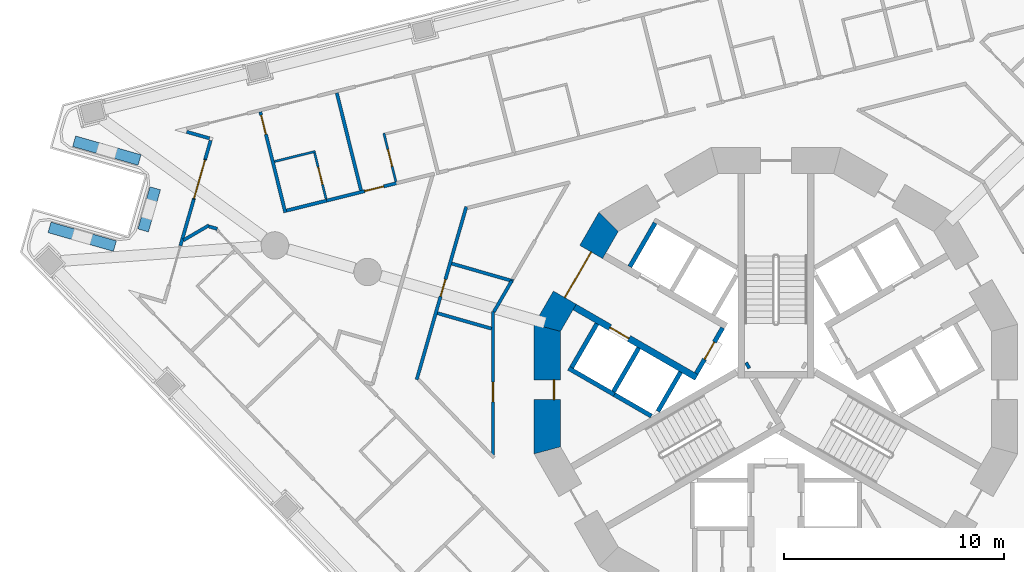
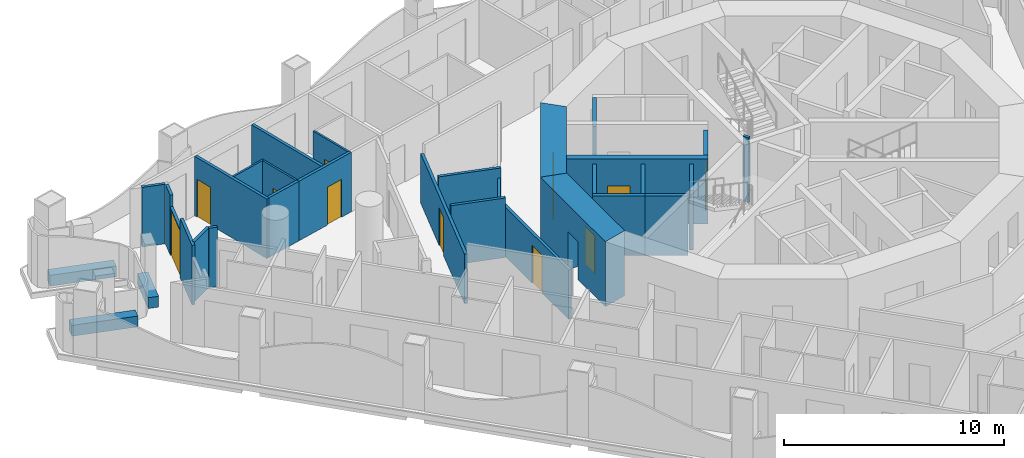
# One storey, part 7 of 20: 32 walls, 11 doors, 11 openings.
"""IFC4 building model written with IfcOpenShell, lengths in metres."""

from ifc_helpers import new_model, si_unit, direction, frame, frame_2d, origin, place, context, subcontext, project, spatial, polyline, rectangle, outline, extrude, material, layer, layer_set, type_object, element, fill, save


model = new_model("IFC4")

# Units and contexts
model_context = context("Model", 3, precision=1e-05, world=origin(), true_north=direction((0.0, 1.0)))
body_context = subcontext(model_context, "Body", "Model", "MODEL_VIEW")
ifc_project = project(units=[si_unit("LENGTHUNIT", "METRE"), si_unit("AREAUNIT", "SQUARE_METRE"), si_unit("VOLUMEUNIT", "CUBIC_METRE"), si_unit("PLANEANGLEUNIT", "RADIAN"), si_unit("MASSUNIT", "GRAM", prefix="KILO")], contexts=[model_context])

# Site, building, storey
site_placement = place(None, origin())
site = spatial("IfcSite", under=ifc_project, at=site_placement, CompositionType="ELEMENT")
building_placement = place(site_placement, origin())
building = spatial("IfcBuilding", under=site, at=building_placement, Name="Trine Commons Tower", CompositionType="ELEMENT")
storey_placement = place(building_placement, frame((0.0, 0.0, 101.699951171875)))
storey = spatial("IfcBuildingStorey", under=building, at=storey_placement, Name="L25", CompositionType="ELEMENT", Elevation=101.699951171875)

# Wall
ifc_material_1 = material(Name="Aluminium-framed insulated wall panel", Category="aluminium")
ifc_layer_1 = layer(ifc_material_1, 0.14990234375)
ifc_layer_set_1 = layer_set([ifc_layer_1], Name="Aluminium-framed insulated wall panel")
wall_type_1 = type_object("IfcWallType", Name="Glazed frame wall 150, EI 60", PredefinedType="SOLIDWALL", material=ifc_layer_set_1)
wall_1_placement = place(storey_placement, frame((52.876220703125, 69.029296875, 0.0), z_axis=(0.0, 0.0, 1.0), x_axis=(0.275556494379, 0.961284878902, 0.0)))
element("IfcWall", 1, at=wall_1_placement, inside=storey, type_object=wall_type_1, Name="Glazed frame wall P1.3", PredefinedType="SOLIDWALL", context=body_context, shape_type="SweptSolid", body=[
    extrude(outline(polyline([(0.0, -0.074951171875), (2.199951171875, -0.074951171875), (2.199951171875, 0.074951171875), (0.0, 0.074951171875), (0.0, -0.074951171875)])), origin(), (0.0, 0.0, 1.0), 3.300048828125),
])

# Wall, opening, door
wall_2_placement = place(storey_placement, frame((53.482421875, 71.14404296875, 0.0), z_axis=(0.0, 0.0, 1.0), x_axis=(0.275739195228, 0.961232488119, 0.0)))
wall_2 = element("IfcWall", 2, at=wall_2_placement, inside=storey, type_object=wall_type_1, Name="Glazed frame wall P1.4", PredefinedType="SOLIDWALL", context=body_context, shape_type="SweptSolid", body=[
    extrude(outline(polyline([(0.0, -0.074951171875), (1.89990234375, -0.074951171875), (1.89990234375, 0.074951171875), (0.0, 0.074951171875), (0.0, -0.074951171875)])), origin(), (0.0, 0.0, 1.0), 2.650146484375),
])
opening_1_placement = place(wall_2_placement, frame((0.050048828125, 0.0, 0.0)))
opening_1 = element("IfcOpeningElement", 3, at=opening_1_placement, cuts=wall_2, Name="Opening BD-3P1-02", PredefinedType="OPENING", context=body_context, shape_type="SweptSolid", body=[
    extrude(rectangle(XDim=1.800048828125, YDim=2.60009765625, at=frame_2d((0.89990234375, 1.300048828125))), frame((0.0, 0.0849609375, 0.0), z_axis=(0.0, -1.0, 0.0), x_axis=(1.0, 0.0, 0.0)), (0.0, 0.0, 1.0), 0.169921875),
])
ifc_material_2 = material(Name="Anodised aluminium frame with double glazing", Category="aluminium")
door_type_1 = type_object("IfcDoorType", Name="Sliding loggia door 1800x2600", OperationType="SLIDING_TO_LEFT", PredefinedType="DOOR", material=ifc_material_2)
door_1_placement = place(opening_1_placement, origin())
door_1 = element("IfcDoor", 4, at=door_1_placement, inside=storey, type_object=door_type_1, Name="Loggia door P1 2", OperationType="SLIDING_TO_LEFT", OverallHeight=2.60009765625, OverallWidth=1.800048828125, PredefinedType="DOOR", context=body_context, shape_type="SweptSolid", body=[
    extrude(rectangle(XDim=1.800048828125, YDim=2.60009765625, at=frame_2d((0.89990234375, 1.300048828125))), frame((0.0, 0.02490234375, 0.0), z_axis=(0.0, -1.0, 0.0), x_axis=(1.0, 0.0, 0.0)), (0.0, 0.0, 1.0), 0.050048828125),
])
fill(opening_1, door_1)

# Walls
wall_3_placement = place(storey_placement, frame((54.00634765625, 72.970458984375, 0.0), z_axis=(0.0, 0.0, 1.0), x_axis=(0.275656175253, 0.961256299353, 0.0)))
element("IfcWall", 5, at=wall_3_placement, inside=storey, type_object=wall_type_1, Name="Glazed frame wall P1.5", PredefinedType="SOLIDWALL", context=body_context, shape_type="SweptSolid", body=[
    extrude(outline(polyline([(0.889892578125, 0.074951171875), (0.0, 0.074951171875), (0.0, -0.074951171875), (0.889892578125, -0.074951171875), (0.889892578125, 0.074951171875)])), origin(), (0.0, 0.0, 1.0), 3.300048828125),
])
wall_4_placement = place(storey_placement, frame((54.305908203125, 73.888427734375, 0.0), z_axis=(0.0, 0.0, 1.0), x_axis=(-0.961242628544, 0.275703843044, 0.0)))
element("IfcWall", 6, at=wall_4_placement, inside=storey, type_object=wall_type_1, Name="Glazed frame wall R3", PredefinedType="SOLIDWALL", context=body_context, shape_type="SweptSolid", body=[
    extrude(outline(polyline([(0.110107421875, 0.074951171875), (0.110107421875, -0.074951171875), (1.19580078125, -0.074951171875), (1.19580078125, 0.074951171875), (0.110107421875, 0.074951171875)])), origin(), (0.0, 0.0, 1.0), 3.300048828125),
])

# Wall, opening, door
ifc_material_3 = material(Name="Fire-rated gypsum shaft wall system")
ifc_layer_2 = layer(ifc_material_3, 0.199951171875)
ifc_layer_set_2 = layer_set([ifc_layer_2], Name="Fire-rated gypsum shaft wall system")
wall_type_2 = type_object("IfcWallType", Name="Lobby end wall 200 mm, EI 120", PredefinedType="PARTITIONING", material=ifc_layer_set_2)
wall_5_placement = place(storey_placement, frame((77.569091796875, 65.2890625, 0.0), z_axis=(0.0, 0.0, 1.0), x_axis=(-0.50012165622, -0.865955154139, 0.0)))
wall_5 = element("IfcWall", 7, at=wall_5_placement, inside=storey, type_object=wall_type_2, Name="Lobby end wall L25", PredefinedType="PARTITIONING", context=body_context, shape_type="SweptSolid", body=[
    extrude(rectangle(XDim=2.39990234375, YDim=0.199951171875, at=frame_2d((1.199951171875, 0.0))), origin(), (0.0, 0.0, 1.0), 3.300048828125),
])
opening_2_placement = place(wall_5_placement, frame((0.749755859375, 0.0, 0.0)))
opening_2 = element("IfcOpeningElement", 8, at=opening_2_placement, cuts=wall_5, Name="Opening K04.07", PredefinedType="OPENING", context=body_context, shape_type="SweptSolid", body=[
    extrude(rectangle(XDim=0.89990234375, YDim=2.10009765625, at=frame_2d((0.449951171875, 1.050048828125))), frame((0.0, 0.10986328125, 0.0), z_axis=(0.0, -1.0, 0.0), x_axis=(1.0, 0.0, 0.0)), (0.0, 0.0, 1.0), 0.219970703125),
])
ifc_material_4 = material(Name="Steel door leaf, fire-rated", Category="steel")
door_type_2 = type_object("IfcDoorType", Name="Riser access door, single leaf 900 x 2100, FD60", OperationType="SINGLE_SWING_LEFT", PredefinedType="DOOR", material=ifc_material_4)
door_2_placement = place(opening_2_placement, frame((0.89990234375, 0.0, 0.0), z_axis=(0.0, 0.0, 1.0), x_axis=(-1.0, 0.0, 0.0)))
door_2 = element("IfcDoor", 9, at=door_2_placement, inside=storey, type_object=door_type_2, Name="Riser door, Mechanical riser L25", OperationType="SINGLE_SWING_RIGHT", OverallHeight=2.10009765625, OverallWidth=0.89990234375, PredefinedType="DOOR", context=body_context, shape_type="SweptSolid", body=[
    extrude(rectangle(XDim=0.89990234375, YDim=2.10009765625, at=frame_2d((0.449951171875, 1.050048828125))), frame((0.0, 0.02490234375, 0.0), z_axis=(0.0, -1.0, 0.0), x_axis=(1.0, 0.0, 0.0)), (0.0, 0.0, 1.0), 0.050048828125),
])
fill(opening_2, door_2)

# Walls
ifc_material_5 = material(Name="Planter trough, precast concrete C40/50", Category="concrete")
ifc_layer_3 = layer(ifc_material_5, 0.5)
ifc_layer_set_3 = layer_set([ifc_layer_3], Name="Planter trough, precast concrete C40/50")
wall_type_3 = type_object("IfcWallType", Name="Planter trough 500x600", PredefinedType="PARAPET", material=ifc_layer_set_3)
wall_6_placement = place(storey_placement, frame((46.91064453125, 69.865966796875, 0.0), z_axis=(0.0, 0.0, 1.0), x_axis=(0.961261991794, -0.275636324044, 0.0)))
element("IfcWall", 10, at=wall_6_placement, inside=storey, type_object=wall_type_3, Name="Planter 1", PredefinedType="PARAPET", context=body_context, shape_type="SweptSolid", body=[
    extrude(rectangle(XDim=3.10009765625, YDim=0.5, at=frame_2d((1.550048828125, 0.0))), origin(), (0.0, 0.0, 1.0), 0.60009765625),
])
wall_7_placement = place(storey_placement, frame((51.177001953125, 69.724609375, 0.0), z_axis=(0.0, 0.0, 1.0), x_axis=(0.275623830648, 0.961265574115, 0.0)))
element("IfcWall", 11, at=wall_7_placement, inside=storey, type_object=wall_type_3, Name="Planter 2", PredefinedType="PARAPET", context=body_context, shape_type="SweptSolid", body=[
    extrude(rectangle(XDim=2.0, YDim=0.5, at=frame_2d((1.0, 0.0))), origin(), (0.0, 0.0, 1.0), 0.60009765625),
])
wall_8_placement = place(storey_placement, frame((51.01513671875, 72.93359375, 0.0), z_axis=(0.0, 0.0, 1.0), x_axis=(-0.961261991794, 0.275636324044, 0.0)))
element("IfcWall", 12, at=wall_8_placement, inside=storey, type_object=wall_type_3, Name="Planter 3", PredefinedType="PARAPET", context=body_context, shape_type="SweptSolid", body=[
    extrude(rectangle(XDim=3.10009765625, YDim=0.5, at=frame_2d((1.550048828125, 0.0))), origin(), (0.0, 0.0, 1.0), 0.60009765625),
])

# Wall, opening, door
ifc_material_6 = material(Name="Concrete C70/85", Category="concrete")
ifc_layer_4 = layer(ifc_material_6, 1.199951171875)
ifc_layer_set_4 = layer_set([ifc_layer_4], Name="Concrete C70/85")
wall_type_4 = type_object("IfcWallType", Name="RC shear wall 1200 mm, C70/85", PredefinedType="SHEAR", material=ifc_layer_set_4)
wall_9_placement = place(storey_placement, frame((72.45849609375, 70.260986328125, 0.0), z_axis=(0.0, 0.0, 1.0), x_axis=(-0.499979111662, -0.866037463336, 0.0)))
wall_9 = element("IfcWall", 13, at=wall_9_placement, inside=storey, type_object=wall_type_4, Name="Core wall CWC-06 L25", PredefinedType="SHEAR", context=body_context, shape_type="SweptSolid", body=[
    extrude(outline(polyline([(0.0, -0.60009765625), (5.901123046875, -0.60009765625), (5.57958984375, 0.60009765625), (0.321533203125, 0.60009765625), (0.0, -0.60009765625)])), origin(), (0.0, 0.0, 1.0), 3.60009765625),
])
opening_3_placement = place(wall_9_placement, frame((1.75048828125, 0.0, 0.0)))
opening_3 = element("IfcOpeningElement", 14, at=opening_3_placement, cuts=wall_9, Name="Opening K04.06", PredefinedType="OPENING", context=body_context, shape_type="SweptSolid", body=[
    extrude(rectangle(XDim=2.39990234375, YDim=2.10009765625, at=frame_2d((1.199951171875, 1.050048828125))), frame((0.0, 0.60986328125, 0.0), z_axis=(0.0, -1.0, 0.0), x_axis=(1.0, 0.0, 0.0)), (0.0, 0.0, 1.0), 1.219970703125),
])
ifc_material_7 = material(Name="Steel door leaves, fire-rated", Category="steel")
door_type_3 = type_object("IfcDoorType", Name="Lobby door, double leaf 2400 x 2100, FD60", OperationType="DOUBLE_DOOR_SINGLE_SWING", PredefinedType="DOOR", material=ifc_material_7)
door_3_placement = place(opening_3_placement, origin())
door_3 = element("IfcDoor", 15, at=door_3_placement, inside=storey, type_object=door_type_3, Name="Lobby door, Passenger lift lobby B L25", OperationType="DOUBLE_DOOR_SINGLE_SWING", OverallHeight=2.10009765625, OverallWidth=2.39990234375, PredefinedType="DOOR", context=body_context, shape_type="SweptSolid", body=[
    extrude(rectangle(XDim=2.39990234375, YDim=2.10009765625, at=frame_2d((1.199951171875, 1.050048828125))), frame((0.0, 0.02490234375, 0.0), z_axis=(0.0, -1.0, 0.0), x_axis=(1.0, 0.0, 0.0)), (0.0, 0.0, 1.0), 0.050048828125),
])
fill(opening_3, door_3)

wall_10_placement = place(storey_placement, frame((69.58837890625, 65.450439453125, 0.0), z_axis=(0.0, 0.0, 1.0), x_axis=(0.0, -1.0, 0.0)))
wall_10 = element("IfcWall", 16, at=wall_10_placement, inside=storey, type_object=wall_type_4, Name="Core wall CWC-07 L25", PredefinedType="SHEAR", context=body_context, shape_type="SweptSolid", body=[
    extrude(outline(polyline([(0.0, -0.60009765625), (5.90087890625, -0.60009765625), (5.57958984375, 0.60009765625), (0.321533203125, 0.60009765625), (0.0, -0.60009765625)])), origin(), (0.0, 0.0, 1.0), 3.60009765625),
])
opening_4_placement = place(wall_10_placement, frame((2.525390625, 0.0, 0.0)))
opening_4 = element("IfcOpeningElement", 17, at=opening_4_placement, cuts=wall_10, Name="Opening K04.14", PredefinedType="OPENING", context=body_context, shape_type="SweptSolid", body=[
    extrude(rectangle(XDim=0.89990234375, YDim=2.10009765625, at=frame_2d((0.449951171875, 1.050048828125))), frame((0.0, 0.60986328125, 0.0), z_axis=(0.0, -1.0, 0.0), x_axis=(1.0, 0.0, 0.0)), (0.0, 0.0, 1.0), 1.219970703125),
])
door_type_4 = type_object("IfcDoorType", Name="Core room door, single leaf 900 x 2100, FD30S", OperationType="SINGLE_SWING_LEFT", PredefinedType="DOOR", material=ifc_material_4)
door_4_placement = place(opening_4_placement, origin())
door_4 = element("IfcDoor", 18, at=door_4_placement, inside=storey, type_object=door_type_4, Name="Door to Print room L25", OperationType="SINGLE_SWING_RIGHT", OverallHeight=2.10009765625, OverallWidth=0.89990234375, PredefinedType="DOOR", context=body_context, shape_type="SweptSolid", body=[
    extrude(rectangle(XDim=0.89990234375, YDim=2.10009765625, at=frame_2d((0.449951171875, 1.050048828125))), frame((0.0, 0.3251953125, 0.0), z_axis=(0.0, -1.0, 0.0), x_axis=(1.0, 0.0, 0.0)), (0.0, 0.0, 1.0), 0.050048828125),
])
fill(opening_4, door_4)

ifc_layer_5 = layer(ifc_material_6, 0.300048828125)
ifc_layer_set_5 = layer_set([ifc_layer_5], Name="Concrete C70/85")
wall_type_5 = type_object("IfcWallType", Name="RC shear wall 300 mm, C70/85", PredefinedType="SHEAR", material=ifc_layer_set_5)
wall_11_placement = place(storey_placement, frame((76.381103515625, 63.031005859375, 0.0), z_axis=(0.0, 0.0, 1.0), x_axis=(-0.866032150378, 0.499988314375, 0.0)))
wall_11 = element("IfcWall", 19, at=wall_11_placement, inside=storey, type_object=wall_type_5, Name="Core cross wall SWA-01 L25", PredefinedType="SHEAR", context=body_context, shape_type="SweptSolid", body=[
    extrude(rectangle(XDim=6.412353515625, YDim=0.300048828125, at=frame_2d((3.2060546875, 0.0))), origin(), (0.0, 0.0, 1.0), 3.60009765625),
])
opening_5_placement = place(wall_11_placement, frame((3.55029296875, 0.0, 0.0)))
opening_5 = element("IfcOpeningElement", 20, at=opening_5_placement, cuts=wall_11, Name="Opening LD3", PredefinedType="OPENING", context=body_context, shape_type="SweptSolid", body=[
    extrude(rectangle(XDim=1.0, YDim=2.10009765625, at=frame_2d((0.5, 1.050048828125))), frame((0.0, 0.159912109375, 0.0), z_axis=(0.0, -1.0, 0.0), x_axis=(1.0, 0.0, 0.0)), (0.0, 0.0, 1.0), 0.320068359375),
])
ifc_material_8 = material(Name="Stainless steel sliding door leaves", Category="steel")
door_type_5 = type_object("IfcDoorType", Name="Lift landing door, centre-opening sliding 1000 x 2100, FD90", OperationType="DOUBLE_DOOR_SLIDING", PredefinedType="DOOR", material=ifc_material_8)
door_5_placement = place(opening_5_placement, origin())
door_5 = element("IfcDoor", 21, at=door_5_placement, inside=storey, type_object=door_type_5, Name="Lift landing door LR3 L25", OperationType="DOUBLE_DOOR_SLIDING", OverallHeight=2.10009765625, OverallWidth=1.0, PredefinedType="DOOR", context=body_context, shape_type="SweptSolid", body=[
    extrude(rectangle(XDim=1.0, YDim=2.10009765625, at=frame_2d((0.5, 1.050048828125))), frame((0.0, 0.02490234375, 0.0), z_axis=(0.0, -1.0, 0.0), x_axis=(1.0, 0.0, 0.0)), (0.0, 0.0, 1.0), 0.050048828125),
])
fill(opening_5, door_5)

# Walls
wall_12_placement = place(storey_placement, frame((78.779052734375, 63.614013671875, 0.0), z_axis=(0.0, 0.0, 1.0), x_axis=(-0.867737973955, -0.497021939713, 0.0)))
element("IfcWall", 22, at=wall_12_placement, inside=storey, type_object=wall_type_5, Name="Core cross wall SWA-09 L25", PredefinedType="SHEAR", context=body_context, shape_type="SweptSolid", body=[
    extrude(rectangle(XDim=0.14892578125, YDim=0.300048828125, at=frame_2d((0.074462890625, 0.0))), origin(), (0.0, 0.0, 1.0), 3.60009765625),
])
ifc_layer_6 = layer(ifc_material_3, 0.199951171875)
ifc_layer_set_6 = layer_set([ifc_layer_6], Name="Fire-rated gypsum shaft wall system")
wall_type_6 = type_object("IfcWallType", Name="Shaft wall 200 mm, EI 120", PredefinedType="PARTITIONING", material=ifc_layer_set_6)
wall_13_placement = place(storey_placement, frame((71.844970703125, 65.47607421875, 0.0), z_axis=(0.0, 0.0, 1.0), x_axis=(-0.500136062276, -0.86594683394, 0.0)))
element("IfcWall", 23, at=wall_13_placement, inside=storey, type_object=wall_type_6, Name="Shaft wall L25", PredefinedType="PARTITIONING", context=body_context, shape_type="SweptSolid", body=[
    extrude(rectangle(XDim=2.299072265625, YDim=0.199951171875, at=frame_2d((1.1494140625, 0.0))), origin(), (0.0, 0.0, 1.0), 3.300048828125),
])
wall_14_placement = place(storey_placement, frame((72.637939453125, 62.248046875, 0.0), z_axis=(0.0, 0.0, 1.0), x_axis=(-0.866177122335, 0.499737123639, 0.0)))
element("IfcWall", 24, at=wall_14_placement, inside=storey, type_object=wall_type_6, Name="Shaft wall L25", PredefinedType="PARTITIONING", context=body_context, shape_type="SweptSolid", body=[
    extrude(rectangle(XDim=2.401123046875, YDim=0.199951171875, at=frame_2d((1.20068359375, 0.0))), origin(), (0.0, 0.0, 1.0), 3.300048828125),
])
wall_15_placement = place(storey_placement, frame((73.344970703125, 68.073974609375, 0.0), z_axis=(0.0, 0.0, 1.0), x_axis=(0.500215680983, 0.865900844496, 0.0)))
element("IfcWall", 25, at=wall_15_placement, inside=storey, type_object=wall_type_6, Name="Shaft wall L25", PredefinedType="PARTITIONING", context=body_context, shape_type="SweptSolid", body=[
    extrude(rectangle(XDim=2.29931640625, YDim=0.199951171875, at=frame_2d((1.149658203125, 0.0))), origin(), (0.0, 0.0, 1.0), 3.300048828125),
])
wall_16_placement = place(storey_placement, frame((73.7509765625, 64.3759765625, 0.0), z_axis=(0.0, 0.0, 1.0), x_axis=(-0.500136062276, -0.86594683394, 0.0)))
element("IfcWall", 26, at=wall_16_placement, inside=storey, type_object=wall_type_6, Name="Shaft wall L25", PredefinedType="PARTITIONING", context=body_context, shape_type="SweptSolid", body=[
    extrude(rectangle(XDim=2.299072265625, YDim=0.199951171875, at=frame_2d((1.1494140625, 0.0))), origin(), (0.0, 0.0, 1.0), 3.300048828125),
])
wall_17_placement = place(storey_placement, frame((74.324951171875, 61.27294921875, 0.0), z_axis=(0.0, 0.0, 1.0), x_axis=(-0.865780634835, 0.500423712812, 0.0)))
element("IfcWall", 27, at=wall_17_placement, inside=storey, type_object=wall_type_6, Name="Shaft wall L25", PredefinedType="PARTITIONING", context=body_context, shape_type="SweptSolid", body=[
    extrude(rectangle(XDim=1.948486328125, YDim=0.199951171875, at=frame_2d((0.97412109375, 0.0))), origin(), (0.0, 0.0, 1.0), 3.300048828125),
])
wall_18_placement = place(storey_placement, frame((75.656005859375, 63.27587890625, 0.0), z_axis=(0.0, 0.0, 1.0), x_axis=(-0.500271688072, -0.86586848777, 0.0)))
element("IfcWall", 28, at=wall_18_placement, inside=storey, type_object=wall_type_6, Name="Shaft wall L25", PredefinedType="PARTITIONING", context=body_context, shape_type="SweptSolid", body=[
    extrude(rectangle(XDim=2.064697265625, YDim=0.199951171875, at=frame_2d((1.0322265625, 0.0))), origin(), (0.0, 0.0, 1.0), 3.300048828125),
])
ifc_material_9 = material(Name="Gypsum plasterboard on steel stud", Category="steel")
ifc_layer_7 = layer(ifc_material_9, 0.14990234375)
ifc_layer_set_7 = layer_set([ifc_layer_7], Name="Gypsum plasterboard on steel stud")
wall_type_7 = type_object("IfcWallType", Name="Unit and corridor wall 150 mm, EI 60", PredefinedType="PARTITIONING", material=ifc_layer_set_7)
wall_19_placement = place(storey_placement, frame((53.012451171875, 69.2802734375, 0.0), z_axis=(0.0, 0.0, 1.0), x_axis=(0.863562271771, 0.504242206458, 0.0)))
element("IfcWall", 29, at=wall_19_placement, inside=storey, type_object=wall_type_7, Name="Partition 001", PredefinedType="PARTITIONING", context=body_context, shape_type="SweptSolid", body=[
    extrude(rectangle(XDim=1.349365234375, YDim=0.14990234375, at=frame_2d((0.6748046875, 0.0))), origin(), (0.0, 0.0, 1.0), 3.300048828125),
])
wall_20_placement = place(storey_placement, frame((54.169921875, 69.90673828125, 0.0), z_axis=(0.0, 0.0, 1.0), x_axis=(0.961685070829, -0.274156569398, 0.0)))
element("IfcWall", 30, at=wall_20_placement, inside=storey, type_object=wall_type_7, Name="Partition 005", PredefinedType="PARTITIONING", context=body_context, shape_type="SweptSolid", body=[
    extrude(rectangle(XDim=0.39990234375, YDim=0.14990234375, at=frame_2d((0.199951171875, 0.0))), origin(), (0.0, 0.0, 1.0), 3.300048828125),
])

# Wall, opening, door
wall_21_placement = place(storey_placement, frame((56.513671875, 75.122314453125, 0.0), z_axis=(0.0, 0.0, 1.0), x_axis=(0.24185448203, -0.970312531879, 0.0)))
wall_21 = element("IfcWall", 31, at=wall_21_placement, inside=storey, type_object=wall_type_7, Name="Partition 011", PredefinedType="PARTITIONING", context=body_context, shape_type="SweptSolid", body=[
    extrude(rectangle(XDim=4.72314453125, YDim=0.14990234375, at=frame_2d((2.361572265625, 0.0))), origin(), (0.0, 0.0, 1.0), 3.300048828125),
])
opening_6_placement = place(wall_21_placement, frame((0.14990234375, 0.0, 0.0)))
opening_6 = element("IfcOpeningElement", 32, at=opening_6_placement, cuts=wall_21, Name="Opening D-3B07", PredefinedType="OPENING", context=body_context, shape_type="SweptSolid", body=[
    extrude(rectangle(XDim=0.89990234375, YDim=2.10009765625, at=frame_2d((0.449951171875, 1.050048828125))), frame((0.0, 0.0849609375, 0.0), z_axis=(0.0, -1.0, 0.0), x_axis=(1.0, 0.0, 0.0)), (0.0, 0.0, 1.0), 0.169921875),
])
ifc_material_10 = material(Name="Timber fire door set", Category="wood")
door_type_6 = type_object("IfcDoorType", Name="Bedroom door 900 x 2100, FD30S", OperationType="NOTDEFINED", PredefinedType="DOOR", material=ifc_material_10)
door_6_placement = place(opening_6_placement, origin())
door_6 = element("IfcDoor", 33, at=door_6_placement, inside=storey, type_object=door_type_6, Name="Door D-3B07", OperationType="SINGLE_SWING_LEFT", OverallHeight=2.10009765625, OverallWidth=0.89990234375, PredefinedType="DOOR", context=body_context, shape_type="SweptSolid", body=[
    extrude(rectangle(XDim=0.89990234375, YDim=2.10009765625, at=frame_2d((0.449951171875, 1.050048828125))), frame((0.0, 0.02490234375, 0.0), z_axis=(0.0, -1.0, 0.0), x_axis=(1.0, 0.0, 0.0)), (0.0, 0.0, 1.0), 0.050048828125),
])
fill(opening_6, door_6)

# Wall
wall_22_placement = place(storey_placement, frame((57.710693359375, 70.630126953125, 0.0), z_axis=(0.0, 0.0, 1.0), x_axis=(0.970264657276, 0.242046472483, 0.0)))
element("IfcWall", 34, at=wall_22_placement, inside=storey, type_object=wall_type_7, Name="Partition 013", PredefinedType="PARTITIONING", context=body_context, shape_type="SweptSolid", body=[
    extrude(rectangle(XDim=1.879150390625, YDim=0.14990234375, at=frame_2d((0.939453125, 0.0))), origin(), (0.0, 0.0, 1.0), 3.300048828125),
])

# Wall, opening, door
wall_23_placement = place(storey_placement, frame((59.52587890625, 71.0830078125, 0.0), z_axis=(0.0, 0.0, 1.0), x_axis=(0.970335998333, 0.24176031589, 0.0)))
wall_23 = element("IfcWall", 35, at=wall_23_placement, inside=storey, type_object=wall_type_7, Name="Partition 015", PredefinedType="PARTITIONING", context=body_context, shape_type="SweptSolid", body=[
    extrude(rectangle(XDim=3.33447265625, YDim=0.14990234375, at=frame_2d((1.667236328125, 0.0))), origin(), (0.0, 0.0, 1.0), 3.300048828125),
])
opening_7_placement = place(wall_23_placement, frame((1.792724609375, 0.0, 0.0)))
opening_7 = element("IfcOpeningElement", 36, at=opening_7_placement, cuts=wall_23, Name="Opening D-3B08", PredefinedType="OPENING", context=body_context, shape_type="SweptSolid", body=[
    extrude(rectangle(XDim=0.89990234375, YDim=2.10009765625, at=frame_2d((0.449951171875, 1.050048828125))), frame((0.0, 0.0849609375, 0.0), z_axis=(0.0, -1.0, 0.0), x_axis=(1.0, 0.0, 0.0)), (0.0, 0.0, 1.0), 0.169921875),
])
door_7_placement = place(opening_7_placement, origin())
door_7 = element("IfcDoor", 37, at=door_7_placement, inside=storey, type_object=door_type_6, Name="Door D-3B08", OperationType="SINGLE_SWING_RIGHT", OverallHeight=2.10009765625, OverallWidth=0.89990234375, PredefinedType="DOOR", context=body_context, shape_type="SweptSolid", body=[
    extrude(rectangle(XDim=0.89990234375, YDim=2.10009765625, at=frame_2d((0.449951171875, 1.050048828125))), frame((0.0, 0.02490234375, 0.0), z_axis=(0.0, -1.0, 0.0), x_axis=(1.0, 0.0, 0.0)), (0.0, 0.0, 1.0), 0.050048828125),
])
fill(opening_7, door_7)

# Wall
wall_24_placement = place(storey_placement, frame((59.99560546875, 75.990234375, 0.0), z_axis=(0.0, 0.0, 1.0), x_axis=(0.24188240248, -0.970305572163, 0.0)))
element("IfcWall", 38, at=wall_24_placement, inside=storey, type_object=wall_type_7, Name="Partition 017", PredefinedType="PARTITIONING", context=body_context, shape_type="SweptSolid", body=[
    extrude(rectangle(XDim=4.5732421875, YDim=0.14990234375, at=frame_2d((2.28662109375, 0.0))), origin(), (0.0, 0.0, 1.0), 3.300048828125),
])

# Wall, opening, door
wall_25_placement = place(storey_placement, frame((63.63720703125, 62.930908203125, 0.0), z_axis=(0.0, 0.0, 1.0), x_axis=(0.275598829518, 0.961272742341, 0.0)))
wall_25 = element("IfcWall", 39, at=wall_25_placement, inside=storey, type_object=wall_type_7, Name="Partition 030", PredefinedType="PARTITIONING", context=body_context, shape_type="SweptSolid", body=[
    extrude(rectangle(XDim=8.19140625, YDim=0.14990234375, at=frame_2d((4.095703125, 0.0))), origin(), (0.0, 0.0, 1.0), 2.75),
])
opening_8_placement = place(wall_25_placement, frame((3.94580078125, 0.0, 0.0)))
opening_8 = element("IfcOpeningElement", 40, at=opening_8_placement, cuts=wall_25, Name="Opening D-3B41", PredefinedType="OPENING", context=body_context, shape_type="SweptSolid", body=[
    extrude(rectangle(XDim=0.800048828125, YDim=2.10009765625, at=frame_2d((0.39990234375, 1.050048828125))), frame((0.0, 0.0849609375, 0.0), z_axis=(0.0, -1.0, 0.0), x_axis=(1.0, 0.0, 0.0)), (0.0, 0.0, 1.0), 0.169921875),
])
ifc_material_11 = material(Name="Painted timber", Category="wood")
door_type_7 = type_object("IfcDoorType", Name="Toilet door 800 x 2100, NOT RATED", OperationType="NOTDEFINED", PredefinedType="DOOR", material=ifc_material_11)
door_8_placement = place(opening_8_placement, frame((0.800048828125, 0.0, 0.0), z_axis=(0.0, 0.0, 1.0), x_axis=(-1.0, 0.0, 0.0)))
door_8 = element("IfcDoor", 41, at=door_8_placement, inside=storey, type_object=door_type_7, Name="Door D-3B41", OperationType="SINGLE_SWING_LEFT", OverallHeight=2.10009765625, OverallWidth=0.800048828125, PredefinedType="DOOR", context=body_context, shape_type="SweptSolid", body=[
    extrude(rectangle(XDim=0.800048828125, YDim=2.10009765625, at=frame_2d((0.39990234375, 1.050048828125))), frame((0.0, 0.02490234375, 0.0), z_axis=(0.0, -1.0, 0.0), x_axis=(1.0, 0.0, 0.0)), (0.0, 0.0, 1.0), 0.050048828125),
])
fill(opening_8, door_8)

# Walls
wall_26_placement = place(storey_placement, frame((64.5830078125, 65.958251953125, 0.0), z_axis=(0.0, 0.0, 1.0), x_axis=(0.961285789876, -0.275553316407, 0.0)))
element("IfcWall", 42, at=wall_26_placement, inside=storey, type_object=wall_type_7, Name="Partition 033", PredefinedType="PARTITIONING", context=body_context, shape_type="SweptSolid", body=[
    extrude(rectangle(XDim=2.556884765625, YDim=0.14990234375, at=frame_2d((1.2783203125, 0.0))), origin(), (0.0, 0.0, 1.0), 3.300048828125),
])
wall_27_placement = place(storey_placement, frame((65.231201171875, 68.21728515625, 0.0), z_axis=(0.0, 0.0, 1.0), x_axis=(0.961306086513, -0.275482500411, 0.0)))
element("IfcWall", 43, at=wall_27_placement, inside=storey, type_object=wall_type_7, Name="Partition 037", PredefinedType="PARTITIONING", context=body_context, shape_type="SweptSolid", body=[
    extrude(rectangle(XDim=2.921875, YDim=0.14990234375, at=frame_2d((1.4609375, 0.0))), origin(), (0.0, 0.0, 1.0), 3.300048828125),
])

# Wall, opening, door
wall_28_placement = place(storey_placement, frame((67.113037109375, 59.49609375, 0.0), z_axis=(0.0, 0.0, 1.0), x_axis=(0.0, 1.0, 0.0)))
wall_28 = element("IfcWall", 44, at=wall_28_placement, inside=storey, type_object=wall_type_7, Name="Partition 041", PredefinedType="PARTITIONING", context=body_context, shape_type="SweptSolid", body=[
    extrude(rectangle(XDim=6.531982421875, YDim=0.14990234375, at=frame_2d((3.26611328125, 0.0))), origin(), (0.0, 0.0, 1.0), 2.75),
])
opening_9_placement = place(wall_28_placement, frame((2.41845703125, 0.0, 0.0)))
opening_9 = element("IfcOpeningElement", 45, at=opening_9_placement, cuts=wall_28, Name="Opening D-3B37", PredefinedType="OPENING", context=body_context, shape_type="SweptSolid", body=[
    extrude(rectangle(XDim=0.89990234375, YDim=2.10009765625, at=frame_2d((0.449951171875, 1.050048828125))), frame((0.0, 0.0849609375, 0.0), z_axis=(0.0, -1.0, 0.0), x_axis=(1.0, 0.0, 0.0)), (0.0, 0.0, 1.0), 0.169921875),
])
door_type_8 = type_object("IfcDoorType", Name="Service door 900 x 2100, FD30S", OperationType="NOTDEFINED", PredefinedType="DOOR", material=ifc_material_10)
door_9_placement = place(opening_9_placement, origin())
door_9 = element("IfcDoor", 46, at=door_9_placement, inside=storey, type_object=door_type_8, Name="Door D-3B37", OperationType="SINGLE_SWING_LEFT", OverallHeight=2.10009765625, OverallWidth=0.89990234375, PredefinedType="DOOR", context=body_context, shape_type="SweptSolid", body=[
    extrude(rectangle(XDim=0.89990234375, YDim=2.10009765625, at=frame_2d((0.449951171875, 1.050048828125))), frame((0.0, 0.02490234375, 0.0), z_axis=(0.0, -1.0, 0.0), x_axis=(1.0, 0.0, 0.0)), (0.0, 0.0, 1.0), 0.050048828125),
])
fill(opening_9, door_9)

# Walls
wall_29_placement = place(storey_placement, frame((67.150390625, 66.01806640625, 0.0), z_axis=(0.0, 0.0, 1.0), x_axis=(0.49971385212, 0.866190548321, 0.0)))
element("IfcWall", 47, at=wall_29_placement, inside=storey, type_object=wall_type_7, Name="Partition 042", PredefinedType="PARTITIONING", context=body_context, shape_type="SweptSolid", body=[
    extrude(rectangle(XDim=1.63818359375, YDim=0.14990234375, at=frame_2d((0.819091796875, 0.0))), origin(), (0.0, 0.0, 1.0), 2.75),
])
ifc_layer_8 = layer(ifc_material_9, 0.10009765625)
ifc_layer_set_8 = layer_set([ifc_layer_8], Name="Gypsum plasterboard on steel stud")
wall_type_8 = type_object("IfcWallType", Name="Unit partition 100 mm, no rating", PredefinedType="PARTITIONING", material=ifc_layer_set_8)
wall_30_placement = place(storey_placement, frame((57.15478515625, 72.8623046875, 0.0), z_axis=(0.0, 0.0, 1.0), x_axis=(0.970276645771, 0.241998410475, 0.0)))
element("IfcWall", 48, at=wall_30_placement, inside=storey, type_object=wall_type_8, Name="Partition 012", PredefinedType="PARTITIONING", context=body_context, shape_type="SweptSolid", body=[
    extrude(rectangle(XDim=1.9248046875, YDim=0.10009765625, at=frame_2d((0.96240234375, 0.0))), origin(), (0.0, 0.0, 1.0), 3.300048828125),
])

# Wall, opening, door
wall_31_placement = place(storey_placement, frame((58.986083984375, 73.267578125, 0.0), z_axis=(0.0, 0.0, 1.0), x_axis=(0.241743332693, -0.970340229558, 0.0)))
wall_31 = element("IfcWall", 49, at=wall_31_placement, inside=storey, type_object=wall_type_8, Name="Partition 014", PredefinedType="PARTITIONING", context=body_context, shape_type="SweptSolid", body=[
    extrude(rectangle(XDim=2.17529296875, YDim=0.10009765625, at=frame_2d((1.087646484375, 0.0))), origin(), (0.0, 0.0, 1.0), 3.300048828125),
])
opening_10_placement = place(wall_31_placement, frame((0.6875, 0.0, 0.0)))
opening_10 = element("IfcOpeningElement", 50, at=opening_10_placement, cuts=wall_31, Name="Opening D-3B43", PredefinedType="OPENING", context=body_context, shape_type="SweptSolid", body=[
    extrude(rectangle(XDim=0.800048828125, YDim=2.10009765625, at=frame_2d((0.39990234375, 1.050048828125))), frame((0.0, 0.06005859375, 0.0), z_axis=(0.0, -1.0, 0.0), x_axis=(1.0, 0.0, 0.0)), (0.0, 0.0, 1.0), 0.1201171875),
])
door_type_9 = type_object("IfcDoorType", Name="Internal door 800 x 2100, NOT RATED", OperationType="NOTDEFINED", PredefinedType="DOOR", material=ifc_material_11)
door_10_placement = place(opening_10_placement, origin())
door_10 = element("IfcDoor", 51, at=door_10_placement, inside=storey, type_object=door_type_9, Name="Door D-3B43", OperationType="SINGLE_SWING_RIGHT", OverallHeight=2.10009765625, OverallWidth=0.800048828125, PredefinedType="DOOR", context=body_context, shape_type="SweptSolid", body=[
    extrude(rectangle(XDim=0.800048828125, YDim=2.10009765625, at=frame_2d((0.39990234375, 1.050048828125))), frame((0.0, 0.02490234375, 0.0), z_axis=(0.0, -1.0, 0.0), x_axis=(1.0, 0.0, 0.0)), (0.0, 0.0, 1.0), 0.050048828125),
])
fill(opening_10, door_10)

wall_32_placement = place(storey_placement, frame((62.140869140625, 74.156494140625, 0.0), z_axis=(0.0, 0.0, 1.0), x_axis=(0.241853593672, -0.970312753306, 0.0)))
wall_32 = element("IfcWall", 52, at=wall_32_placement, inside=storey, type_object=wall_type_8, Name="Partition 024", PredefinedType="PARTITIONING", context=body_context, shape_type="SweptSolid", body=[
    extrude(rectangle(XDim=2.2744140625, YDim=0.10009765625, at=frame_2d((1.13720703125, 0.0))), origin(), (0.0, 0.0, 1.0), 3.300048828125),
])
opening_11_placement = place(wall_32_placement, frame((0.76220703125, 0.0, 0.0)))
opening_11 = element("IfcOpeningElement", 53, at=opening_11_placement, cuts=wall_32, Name="Opening D-3B44", PredefinedType="OPENING", context=body_context, shape_type="SweptSolid", body=[
    extrude(rectangle(XDim=0.800048828125, YDim=2.10009765625, at=frame_2d((0.39990234375, 1.050048828125))), frame((0.0, 0.06005859375, 0.0), z_axis=(0.0, -1.0, 0.0), x_axis=(1.0, 0.0, 0.0)), (0.0, 0.0, 1.0), 0.1201171875),
])
door_11_placement = place(opening_11_placement, frame((0.800048828125, 0.0, 0.0), z_axis=(0.0, 0.0, 1.0), x_axis=(-1.0, 0.0, 0.0)))
door_11 = element("IfcDoor", 54, at=door_11_placement, inside=storey, type_object=door_type_9, Name="Door D-3B44", OperationType="SINGLE_SWING_LEFT", OverallHeight=2.10009765625, OverallWidth=0.800048828125, PredefinedType="DOOR", context=body_context, shape_type="SweptSolid", body=[
    extrude(rectangle(XDim=0.800048828125, YDim=2.10009765625, at=frame_2d((0.39990234375, 1.050048828125))), frame((0.0, 0.02490234375, 0.0), z_axis=(0.0, -1.0, 0.0), x_axis=(1.0, 0.0, 0.0)), (0.0, 0.0, 1.0), 0.050048828125),
])
fill(opening_11, door_11)

save(model, "model.ifc")
